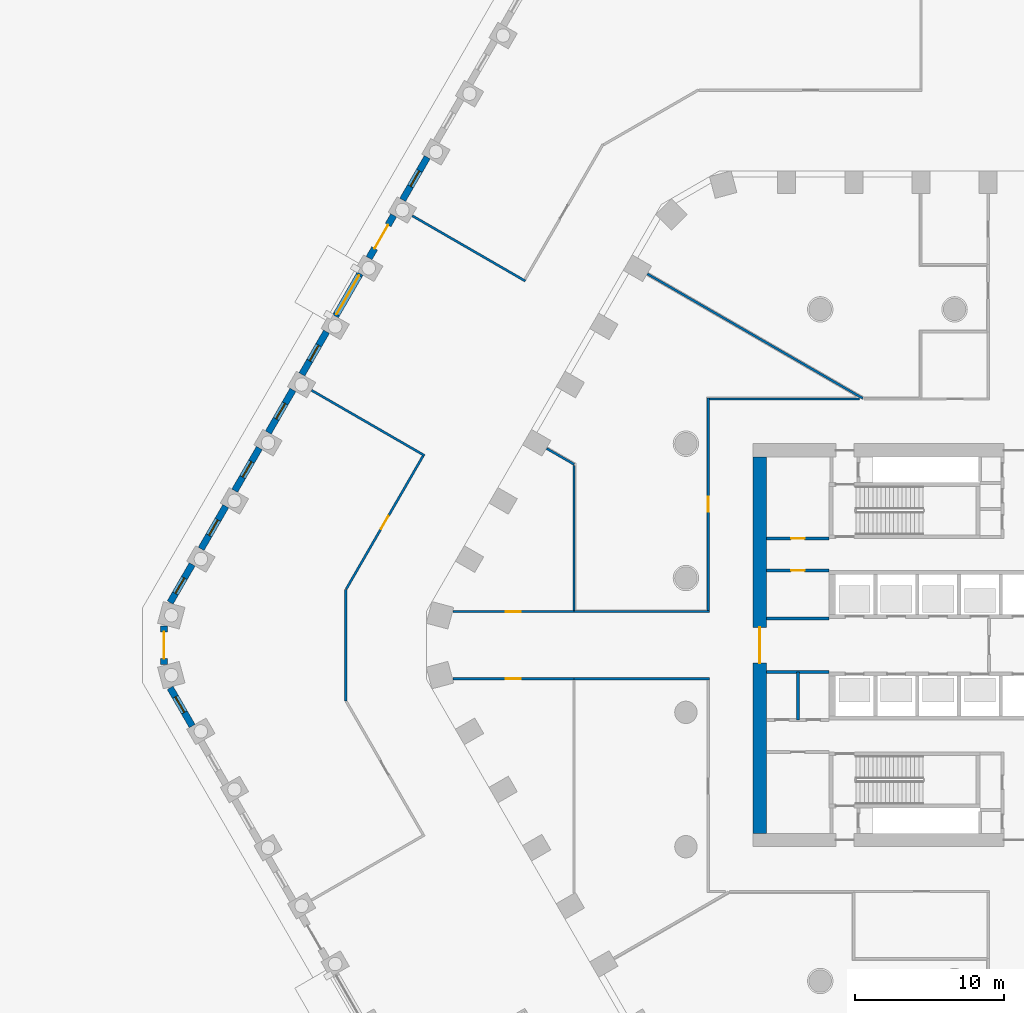
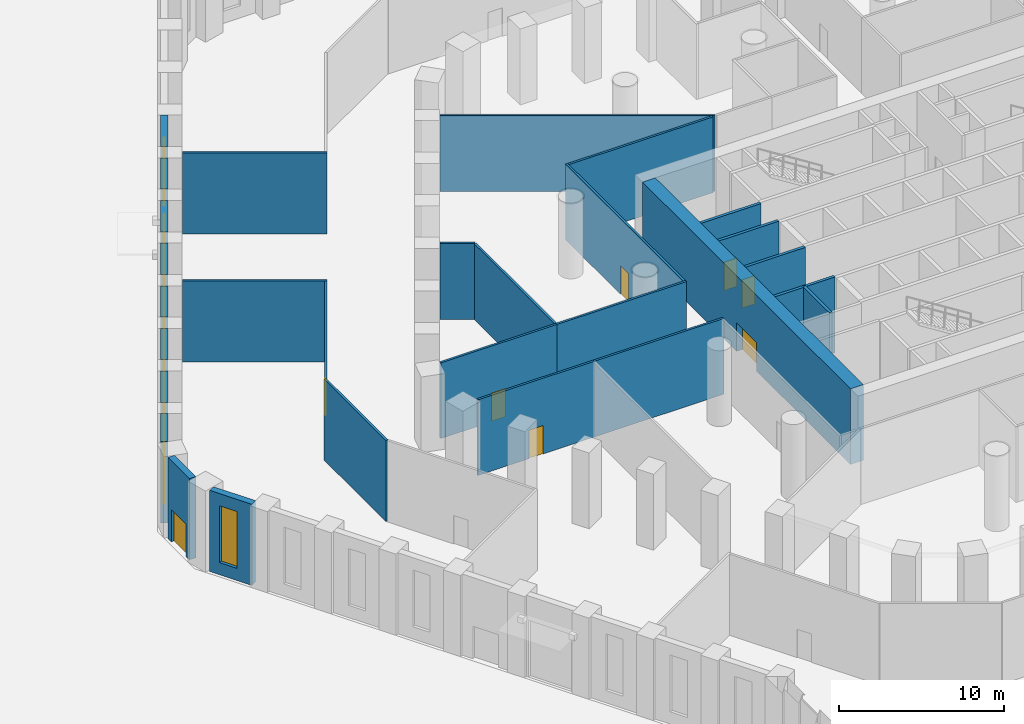
# One storey, part 18 of 44: 29 walls, 10 doors, 7 windows, 17 openings.
"""IFC4 building model written with IfcOpenShell, lengths in metres."""

import ifcopenshell
import ifcopenshell.guid

model = None  # the IFC model being written
_history = None  # IfcOwnerHistory: only IFC2X3 demands one
_inside = {}  # id of a spatial element -> (the spatial element, [elements in it])
_under = {}  # id of a project, library or spatial element -> (it, [spatial elements below it])
_declared = {}  # id of a project -> (the project, [libraries it declares])
_typed = {}  # id of a type object -> (the type object, [elements of that type])
_made_of = {}  # id of a material, layer set ... -> (it, [elements and type objects made of it])


def new_model(schema):
    """Start an empty IFC model of exactly this schema.

    Asked for "IFC4X3", IfcOpenShell would pick the latest addendum, in which some entities
    have other attributes; the version numbers below select the first issue.
    IFC2X3 requires an IfcOwnerHistory on every rooted entity: one is made here for all.
    """
    global model, _history
    if schema == "IFC4X3":
        model = ifcopenshell.file(schema_version=(4, 3, 0, 0))
    else:
        model = ifcopenshell.file(schema=schema)
    _inside.clear()
    _under.clear()
    _declared.clear()
    _typed.clear()
    _made_of.clear()
    _history = None
    if model.schema == "IFC2X3":
        org = make("IfcOrganization", Name="unknown")
        user = make(
            "IfcPersonAndOrganization",
            ThePerson=make("IfcPerson", FamilyName="unknown"),
            TheOrganization=org,
        )
        app = make(
            "IfcApplication",
            ApplicationDeveloper=org,
            Version="unknown",
            ApplicationFullName="unknown",
            ApplicationIdentifier="unknown",
        )
        _history = make(
            "IfcOwnerHistory",
            OwningUser=user,
            OwningApplication=app,
            ChangeAction="ADDED",
            CreationDate=0,
        )
    return model


def make(cls, **values):
    """One entity of the class cls with the attributes given. An attribute that is None is left unset."""
    return model.create_entity(
        cls, **{name: value for name, value in values.items() if value is not None}
    )


def rooted(cls, **values):
    """An entity with a GlobalId (a new one), such as an element, a storey or a relation."""
    return make(cls, GlobalId=ifcopenshell.guid.new(), OwnerHistory=_history, **values)


def si_unit(unit_type, name, prefix=None):
    """IfcSIUnit, for example si_unit("LENGTHUNIT", "METRE", prefix="MILLI")."""
    return make("IfcSIUnit", UnitType=unit_type, Prefix=prefix, Name=name)


def assignment(units):
    """IfcUnitAssignment: the units of a project."""
    return None if units is None else make("IfcUnitAssignment", Units=units)


def point(xyz):
    """IfcCartesianPoint."""
    return None if xyz is None else make("IfcCartesianPoint", Coordinates=xyz)


def direction(xyz):
    """IfcDirection."""
    return None if xyz is None else make("IfcDirection", DirectionRatios=xyz)


def frame(location, z_axis=None, x_axis=None):
    """IfcAxis2Placement3D, a coordinate frame: its origin and axes. An axis left out is left unset."""
    return make(
        "IfcAxis2Placement3D",
        Location=point(location),
        Axis=direction(z_axis),
        RefDirection=direction(x_axis),
    )


def frame_2d(location, x_axis=None):
    """IfcAxis2Placement2D, a coordinate frame in the plane: its origin and x axis."""
    return make(
        "IfcAxis2Placement2D", Location=point(location), RefDirection=direction(x_axis)
    )


def origin():
    """The frame at (0, 0, 0) with its axes left unset."""
    return frame((0.0, 0.0, 0.0))


def place(relative_to, where):
    """IfcLocalPlacement: puts the frame where relative to a parent placement (None: the world)."""
    return make(
        "IfcLocalPlacement", PlacementRelTo=relative_to, RelativePlacement=where
    )


def context(
    kind, dimensions, precision=None, world=None, true_north=None, identifier=None
):
    """IfcGeometricRepresentationContext, for example the 3D "Model" context."""
    return make(
        "IfcGeometricRepresentationContext",
        ContextIdentifier=identifier,
        ContextType=kind,
        CoordinateSpaceDimension=dimensions,
        Precision=precision,
        WorldCoordinateSystem=world,
        TrueNorth=true_north,
    )


def subcontext(parent, identifier, kind, view, scale=None):
    """IfcGeometricRepresentationSubContext, for example "Body" below "Model"."""
    return make(
        "IfcGeometricRepresentationSubContext",
        ContextIdentifier=identifier,
        ContextType=kind,
        ParentContext=parent,
        TargetScale=scale,
        TargetView=view,
    )


def project(units=None, contexts=None):
    """IfcProject with its units and contexts."""
    return rooted(
        "IfcProject",
        Name="project",
        RepresentationContexts=contexts,
        UnitsInContext=assignment(units),
    )


def spatial(cls, under=None, at=None, **own):
    """A site, building, storey or space (cls), placed at a placement, below another one or the project."""
    s = rooted(cls, ObjectPlacement=at, **own)
    if under is not None:
        _under.setdefault(under.id(), (under, []))[1].append(s)
    return s


def profile(cls, at=None, kind="AREA", **sizes):
    """A parametric profile (cls). Its sizes go by their IFC names, for example OverallWidth=200.0."""
    return make(cls, ProfileType=kind, Position=at, **sizes)


def rectangle(**sizes):
    """IfcRectangleProfileDef."""
    return profile("IfcRectangleProfileDef", **sizes)


def extrude(swept, where, along, depth):
    """IfcExtrudedAreaSolid: the profile swept, set in the frame where, extruded along a direction by depth."""
    return make(
        "IfcExtrudedAreaSolid",
        SweptArea=swept,
        Position=where,
        ExtrudedDirection=direction(along),
        Depth=depth,
    )


def shape(context_of_items, identifier, shape_type, items):
    """IfcShapeRepresentation: the items that make up one representation, for example the "Body"."""
    return make(
        "IfcShapeRepresentation",
        ContextOfItems=context_of_items,
        RepresentationIdentifier=identifier,
        RepresentationType=shape_type,
        Items=items,
    )


def material(Name=None, Category=None):
    """IfcMaterial."""
    return make("IfcMaterial", Name=Name, Category=Category)


def layer(
    of_material, thickness, ventilated=None, Name=None, Category=None, Priority=None
):
    """IfcMaterialLayer: one layer of a wall or slab, of a material (None: an air gap)."""
    return make(
        "IfcMaterialLayer",
        Material=of_material,
        LayerThickness=thickness,
        IsVentilated=ventilated,
        Name=Name,
        Category=Category,
        Priority=Priority,
    )


def layer_set(layers, Name=None):
    """IfcMaterialLayerSet."""
    return make("IfcMaterialLayerSet", MaterialLayers=layers, LayerSetName=Name)


def made_of(thing, what):
    """Note that an element or type object is made of a material, layer set ...; save() writes the relation."""
    if what is not None:
        _made_of.setdefault(what.id(), (what, []))[1].append(thing)
    return thing


def type_object(cls, material=None, **own):
    """A type object (cls), such as IfcWallType, which elements share."""
    return made_of(rooted(cls, **own), material)


def element(
    cls,
    number,
    at=None,
    inside=None,
    cuts=None,
    type_object=None,
    material=None,
    context=None,
    identifier="Body",
    shape_type=None,
    held_by="IfcProductDefinitionShape",
    body=None,
    shapes=None,
    **own,
):
    """One element of the class cls, such as IfcWall. Its Tag is "e" and its number.

    at: its placement. inside: the storey or other place that contains it. cuts: it is an
    opening in that element (IfcRelVoidsElement). A single representation is given by context,
    identifier, shape_type and body (its items); several are given by shapes. held_by: the class
    of the entity that holds the representations. save() writes the other relations.
    """
    e = rooted(cls, Tag="e%d" % number, ObjectPlacement=at, **own)
    if body is not None:
        shapes = [shape(context, identifier, shape_type, body)]
    if shapes is not None:
        e.Representation = make(held_by, Representations=shapes)
    if inside is not None:
        _inside.setdefault(inside.id(), (inside, []))[1].append(e)
    if cuts is not None:
        rooted(
            "IfcRelVoidsElement", RelatingBuildingElement=cuts, RelatedOpeningElement=e
        )
    if type_object is not None:
        _typed.setdefault(type_object.id(), (type_object, []))[1].append(e)
    return made_of(e, material)


def fill(opening, filler):
    """IfcRelFillsElement: the door or window that sits in an opening."""
    return rooted(
        "IfcRelFillsElement",
        RelatingOpeningElement=opening,
        RelatedBuildingElement=filler,
    )


def aggregate(whole, parts):
    """IfcRelAggregates: a whole, such as a stair, and the parts it consists of."""
    return rooted("IfcRelAggregates", RelatingObject=whole, RelatedObjects=parts)


def save(model, path):
    """Write the relations noted so far, then the file.

    IfcRelAggregates (storeys below a building ...), IfcRelContainedInSpatialStructure (elements
    in a storey), IfcRelDefinesByType, IfcRelAssociatesMaterial and IfcRelDeclares: one each for
    every whole, place, type object, material and project.
    """
    for whole, parts in _under.values():
        aggregate(whole, parts)
    for where, things in _inside.values():
        rooted(
            "IfcRelContainedInSpatialStructure",
            RelatedElements=things,
            RelatingStructure=where,
        )
    for kind, things in _typed.values():
        rooted("IfcRelDefinesByType", RelatedObjects=things, RelatingType=kind)
    for what, things in _made_of.values():
        rooted("IfcRelAssociatesMaterial", RelatedObjects=things, RelatingMaterial=what)
    for by, libraries in _declared.values():
        rooted("IfcRelDeclares", RelatingContext=by, RelatedDefinitions=libraries)
    model.write(path)


model = new_model("IFC4")

# Units and contexts
model_context = context("Model", 3, precision=1e-05, world=origin(), true_north=direction((0.0, 1.0)))
body_context = subcontext(model_context, "Body", "Model", "MODEL_VIEW")
ifc_project = project(units=[si_unit("LENGTHUNIT", "METRE"), si_unit("AREAUNIT", "SQUARE_METRE"), si_unit("VOLUMEUNIT", "CUBIC_METRE"), si_unit("PLANEANGLEUNIT", "RADIAN"), si_unit("MASSUNIT", "GRAM", prefix="KILO")], contexts=[model_context])

# Site, building, storey
site_placement = place(None, origin())
site = spatial("IfcSite", under=ifc_project, at=site_placement, CompositionType="ELEMENT")
building_placement = place(site_placement, origin())
building = spatial("IfcBuilding", under=site, at=building_placement, Name="Dhurran Vertical Campus", CompositionType="ELEMENT")
storey_placement = place(building_placement, origin())
storey = spatial("IfcBuildingStorey", under=building, at=storey_placement, Name="L00", CompositionType="ELEMENT", Elevation=0.0)

# Wall, opening, window
ifc_material_1 = material(Name="Precast concrete C50/60", Category="concrete")
ifc_layer_1 = layer(ifc_material_1, 0.449951171875)
ifc_layer_set_1 = layer_set([ifc_layer_1], Name="Precast concrete C50/60")
wall_type_1 = type_object("IfcWallType", Name="Precast base wall 450", PredefinedType="SOLIDWALL", material=ifc_layer_set_1)
wall_1_placement = place(storey_placement, frame((-39.829345703125, 32.6943359375, 0.0), z_axis=(0.0, 0.0, 1.0), x_axis=(-0.499991515992, -0.866030301974, 0.0)))
wall_1 = element("IfcWall", 1, at=wall_1_placement, inside=storey, type_object=wall_type_1, Name="EW2 L00.55", PredefinedType="SOLIDWALL", context=body_context, shape_type="SweptSolid", body=[
    extrude(rectangle(XDim=3.298828125, YDim=0.449951171875, at=frame_2d((1.6494140625, 0.0))), origin(), (0.0, 0.0, 1.0), 6.0),
])
opening_1_placement = place(wall_1_placement, frame((1.049560546875, 0.0, 0.89990234375)))
opening_1 = element("IfcOpeningElement", 2, at=opening_1_placement, cuts=wall_1, Name="Opening WT5", PredefinedType="OPENING", context=body_context, shape_type="SweptSolid", body=[
    extrude(rectangle(XDim=1.199951171875, YDim=4.199951171875, at=frame_2d((0.60009765625, 2.10009765625))), frame((0.0, 0.23486328125, 0.0), z_axis=(0.0, -1.0, 0.0), x_axis=(1.0, 0.0, 0.0)), (0.0, 0.0, 1.0), 0.469970703125),
])
ifc_material_2 = material(Name="Aluminium frame with solar-control glass", Category="aluminium")
window_type = type_object("IfcWindowType", Name="Ring slot window 1200 x 4200", PartitioningType="SINGLE_PANEL", PredefinedType="WINDOW", material=ifc_material_2)
window_1_placement = place(opening_1_placement, origin())
window_1 = element("IfcWindow", 3, at=window_1_placement, inside=storey, type_object=window_type, Name="WT5 L00.55", OverallHeight=4.199951171875, OverallWidth=1.199951171875, PartitioningType="SINGLE_PANEL", PredefinedType="WINDOW", context=body_context, shape_type="SweptSolid", body=[
    extrude(rectangle(XDim=1.199951171875, YDim=4.199951171875, at=frame_2d((0.60009765625, 2.10009765625))), frame((0.0, 0.030029296875, 0.0), z_axis=(0.0, -1.0, 0.0), x_axis=(1.0, 0.0, 0.0)), (0.0, 0.0, 1.0), 0.06005859375),
])
fill(opening_1, window_1)

# Wall, opening, door
wall_2_placement = place(storey_placement, frame((-43.728759765625, 25.940185546875, 0.0), z_axis=(0.0, 0.0, 1.0), x_axis=(0.49995947208, 0.866048801325, 0.0)))
wall_2 = element("IfcWall", 4, at=wall_2_placement, inside=storey, type_object=wall_type_1, Name="EW2 L00.56", PredefinedType="SOLIDWALL", context=body_context, shape_type="SweptSolid", body=[
    extrude(rectangle(XDim=3.299072265625, YDim=0.449951171875, at=frame_2d((1.6494140625, 0.0))), origin(), (0.0, 0.0, 1.0), 6.0),
])
opening_2_placement = place(wall_2_placement, frame((0.74951171875, 0.0, 0.0)))
opening_2 = element("IfcOpeningElement", 5, at=opening_2_placement, cuts=wall_2, Name="Opening D009", PredefinedType="OPENING", context=body_context, shape_type="SweptSolid", body=[
    extrude(rectangle(XDim=1.800048828125, YDim=2.39990234375, at=frame_2d((0.89990234375, 1.199951171875))), frame((0.0, 0.23486328125, 0.0), z_axis=(0.0, -1.0, 0.0), x_axis=(1.0, 0.0, 0.0)), (0.0, 0.0, 1.0), 0.469970703125),
])
ifc_material_3 = material(Name="Steel, fire-rated", Category="steel")
door_type_1 = type_object("IfcDoorType", Name="Steel fire exit door pair 1800 x 2400", OperationType="DOUBLE_DOOR_SINGLE_SWING", PredefinedType="DOOR", material=ifc_material_3)
door_1_placement = place(opening_2_placement, origin())
door_1 = element("IfcDoor", 6, at=door_1_placement, inside=storey, type_object=door_type_1, Name="D009 stair exit discharge", OperationType="DOUBLE_DOOR_SINGLE_SWING", OverallHeight=2.39990234375, OverallWidth=1.800048828125, PredefinedType="DOOR", context=body_context, shape_type="SweptSolid", body=[
    extrude(rectangle(XDim=1.800048828125, YDim=2.39990234375, at=frame_2d((0.89990234375, 1.199951171875))), frame((0.0, 0.02490234375, 0.0), z_axis=(0.0, -1.0, 0.0), x_axis=(1.0, 0.0, 0.0)), (0.0, 0.0, 1.0), 0.050048828125),
])
fill(opening_2, door_1)

wall_3_placement = place(storey_placement, frame((-45.978759765625, 22.043212890625, 0.0), z_axis=(0.0, 0.0, 1.0), x_axis=(0.499991515992, 0.866030301974, 0.0)))
wall_3 = element("IfcWall", 7, at=wall_3_placement, inside=storey, type_object=wall_type_1, Name="EW2 L00.57", PredefinedType="SOLIDWALL", context=body_context, shape_type="SweptSolid", body=[
    extrude(rectangle(XDim=3.298828125, YDim=0.449951171875, at=frame_2d((1.6494140625, 0.0))), origin(), (0.0, 0.0, 1.0), 6.0),
])
opening_3_placement = place(wall_3_placement, frame((0.1494140625, 0.0, 0.0)))
opening_3 = element("IfcOpeningElement", 8, at=opening_3_placement, cuts=wall_3, Name="Opening D012", PredefinedType="OPENING", context=body_context, shape_type="SweptSolid", body=[
    extrude(rectangle(XDim=3.0, YDim=4.199951171875, at=frame_2d((1.5, 2.10009765625))), frame((0.0, 0.23486328125, 0.0), z_axis=(0.0, -1.0, 0.0), x_axis=(1.0, 0.0, 0.0)), (0.0, 0.0, 1.0), 0.469970703125),
])
ifc_material_4 = material(Name="Aluminium and clear glass", Category="aluminium")
door_type_2 = type_object("IfcDoorType", Name="Aluminium and glass entrance portal door pair 3000 x 4200", OperationType="DOUBLE_DOOR_SINGLE_SWING", PredefinedType="DOOR", material=ifc_material_4)
door_2_placement = place(opening_3_placement, origin())
door_2 = element("IfcDoor", 9, at=door_2_placement, inside=storey, type_object=door_type_2, Name="D012 north-west lobby entrance", OperationType="DOUBLE_DOOR_SINGLE_SWING", OverallHeight=4.199951171875, OverallWidth=3.0, PredefinedType="DOOR", context=body_context, shape_type="SweptSolid", body=[
    extrude(rectangle(XDim=3.0, YDim=4.199951171875, at=frame_2d((1.5, 2.10009765625))), frame((0.0, 0.02490234375, 0.0), z_axis=(0.0, -1.0, 0.0), x_axis=(1.0, 0.0, 0.0)), (0.0, 0.0, 1.0), 0.050048828125),
])
fill(opening_3, door_2)

# Wall, opening, window
wall_4_placement = place(storey_placement, frame((-46.579345703125, 21.0029296875, 0.0), z_axis=(0.0, 0.0, 1.0), x_axis=(-0.499991515992, -0.866030301974, 0.0)))
wall_4 = element("IfcWall", 10, at=wall_4_placement, inside=storey, type_object=wall_type_1, Name="EW2 L00.58", PredefinedType="SOLIDWALL", context=body_context, shape_type="SweptSolid", body=[
    extrude(rectangle(XDim=3.298828125, YDim=0.449951171875, at=frame_2d((1.6494140625, 0.0))), origin(), (0.0, 0.0, 1.0), 6.0),
])
opening_4_placement = place(wall_4_placement, frame((1.049560546875, 0.0, 0.89990234375)))
opening_4 = element("IfcOpeningElement", 11, at=opening_4_placement, cuts=wall_4, Name="Opening WT5", PredefinedType="OPENING", context=body_context, shape_type="SweptSolid", body=[
    extrude(rectangle(XDim=1.199951171875, YDim=4.199951171875, at=frame_2d((0.60009765625, 2.10009765625))), frame((0.0, 0.23486328125, 0.0), z_axis=(0.0, -1.0, 0.0), x_axis=(1.0, 0.0, 0.0)), (0.0, 0.0, 1.0), 0.469970703125),
])
window_2_placement = place(opening_4_placement, origin())
window_2 = element("IfcWindow", 12, at=window_2_placement, inside=storey, type_object=window_type, Name="WT5 L00.58", OverallHeight=4.199951171875, OverallWidth=1.199951171875, PartitioningType="SINGLE_PANEL", PredefinedType="WINDOW", context=body_context, shape_type="SweptSolid", body=[
    extrude(rectangle(XDim=1.199951171875, YDim=4.199951171875, at=frame_2d((0.60009765625, 2.10009765625))), frame((0.0, 0.030029296875, 0.0), z_axis=(0.0, -1.0, 0.0), x_axis=(1.0, 0.0, 0.0)), (0.0, 0.0, 1.0), 0.06005859375),
])
fill(opening_4, window_2)

wall_5_placement = place(storey_placement, frame((-48.829345703125, 17.10595703125, 0.0), z_axis=(0.0, 0.0, 1.0), x_axis=(-0.49995947208, -0.866048801325, 0.0)))
wall_5 = element("IfcWall", 13, at=wall_5_placement, inside=storey, type_object=wall_type_1, Name="EW2 L00.59", PredefinedType="SOLIDWALL", context=body_context, shape_type="SweptSolid", body=[
    extrude(rectangle(XDim=3.299072265625, YDim=0.449951171875, at=frame_2d((1.6494140625, 0.0))), origin(), (0.0, 0.0, 1.0), 6.0),
])
opening_5_placement = place(wall_5_placement, frame((1.049560546875, 0.0, 0.89990234375)))
opening_5 = element("IfcOpeningElement", 14, at=opening_5_placement, cuts=wall_5, Name="Opening WT5", PredefinedType="OPENING", context=body_context, shape_type="SweptSolid", body=[
    extrude(rectangle(XDim=1.199951171875, YDim=4.199951171875, at=frame_2d((0.60009765625, 2.10009765625))), frame((0.0, 0.23486328125, 0.0), z_axis=(0.0, -1.0, 0.0), x_axis=(1.0, 0.0, 0.0)), (0.0, 0.0, 1.0), 0.469970703125),
])
window_3_placement = place(opening_5_placement, origin())
window_3 = element("IfcWindow", 15, at=window_3_placement, inside=storey, type_object=window_type, Name="WT5 L00.59", OverallHeight=4.199951171875, OverallWidth=1.199951171875, PartitioningType="SINGLE_PANEL", PredefinedType="WINDOW", context=body_context, shape_type="SweptSolid", body=[
    extrude(rectangle(XDim=1.199951171875, YDim=4.199951171875, at=frame_2d((0.60009765625, 2.10009765625))), frame((0.0, 0.030029296875, 0.0), z_axis=(0.0, -1.0, 0.0), x_axis=(1.0, 0.0, 0.0)), (0.0, 0.0, 1.0), 0.06005859375),
])
fill(opening_5, window_3)

wall_6_placement = place(storey_placement, frame((-51.079345703125, 13.208740234375, 0.0), z_axis=(0.0, 0.0, 1.0), x_axis=(-0.499991515992, -0.866030301974, 0.0)))
wall_6 = element("IfcWall", 16, at=wall_6_placement, inside=storey, type_object=wall_type_1, Name="EW2 L00.60", PredefinedType="SOLIDWALL", context=body_context, shape_type="SweptSolid", body=[
    extrude(rectangle(XDim=3.298828125, YDim=0.449951171875, at=frame_2d((1.6494140625, 0.0))), origin(), (0.0, 0.0, 1.0), 6.0),
])
opening_6_placement = place(wall_6_placement, frame((1.049560546875, 0.0, 0.89990234375)))
opening_6 = element("IfcOpeningElement", 17, at=opening_6_placement, cuts=wall_6, Name="Opening WT5", PredefinedType="OPENING", context=body_context, shape_type="SweptSolid", body=[
    extrude(rectangle(XDim=1.199951171875, YDim=4.199951171875, at=frame_2d((0.60009765625, 2.10009765625))), frame((0.0, 0.23486328125, 0.0), z_axis=(0.0, -1.0, 0.0), x_axis=(1.0, 0.0, 0.0)), (0.0, 0.0, 1.0), 0.469970703125),
])
window_4_placement = place(opening_6_placement, origin())
window_4 = element("IfcWindow", 18, at=window_4_placement, inside=storey, type_object=window_type, Name="WT5 L00.60", OverallHeight=4.199951171875, OverallWidth=1.199951171875, PartitioningType="SINGLE_PANEL", PredefinedType="WINDOW", context=body_context, shape_type="SweptSolid", body=[
    extrude(rectangle(XDim=1.199951171875, YDim=4.199951171875, at=frame_2d((0.60009765625, 2.10009765625))), frame((0.0, 0.030029296875, 0.0), z_axis=(0.0, -1.0, 0.0), x_axis=(1.0, 0.0, 0.0)), (0.0, 0.0, 1.0), 0.06005859375),
])
fill(opening_6, window_4)

wall_7_placement = place(storey_placement, frame((-53.329345703125, 9.311767578125, 0.0), z_axis=(0.0, 0.0, 1.0), x_axis=(-0.49995947208, -0.866048801325, 0.0)))
wall_7 = element("IfcWall", 19, at=wall_7_placement, inside=storey, type_object=wall_type_1, Name="EW2 L00.61", PredefinedType="SOLIDWALL", context=body_context, shape_type="SweptSolid", body=[
    extrude(rectangle(XDim=3.299072265625, YDim=0.449951171875, at=frame_2d((1.6494140625, 0.0))), origin(), (0.0, 0.0, 1.0), 6.0),
])
opening_7_placement = place(wall_7_placement, frame((1.049560546875, 0.0, 0.89990234375)))
opening_7 = element("IfcOpeningElement", 20, at=opening_7_placement, cuts=wall_7, Name="Opening WT5", PredefinedType="OPENING", context=body_context, shape_type="SweptSolid", body=[
    extrude(rectangle(XDim=1.199951171875, YDim=4.199951171875, at=frame_2d((0.60009765625, 2.10009765625))), frame((0.0, 0.23486328125, 0.0), z_axis=(0.0, -1.0, 0.0), x_axis=(1.0, 0.0, 0.0)), (0.0, 0.0, 1.0), 0.469970703125),
])
window_5_placement = place(opening_7_placement, origin())
window_5 = element("IfcWindow", 21, at=window_5_placement, inside=storey, type_object=window_type, Name="WT5 L00.61", OverallHeight=4.199951171875, OverallWidth=1.199951171875, PartitioningType="SINGLE_PANEL", PredefinedType="WINDOW", context=body_context, shape_type="SweptSolid", body=[
    extrude(rectangle(XDim=1.199951171875, YDim=4.199951171875, at=frame_2d((0.60009765625, 2.10009765625))), frame((0.0, 0.030029296875, 0.0), z_axis=(0.0, -1.0, 0.0), x_axis=(1.0, 0.0, 0.0)), (0.0, 0.0, 1.0), 0.06005859375),
])
fill(opening_7, window_5)

wall_8_placement = place(storey_placement, frame((-55.579345703125, 5.41455078125, 0.0), z_axis=(0.0, 0.0, 1.0), x_axis=(-0.500030648271, -0.866007708274, 0.0)))
wall_8 = element("IfcWall", 22, at=wall_8_placement, inside=storey, type_object=wall_type_1, Name="EW2 L00.62", PredefinedType="SOLIDWALL", context=body_context, shape_type="SweptSolid", body=[
    extrude(rectangle(XDim=2.948486328125, YDim=0.449951171875, at=frame_2d((1.47412109375, 0.0))), origin(), (0.0, 0.0, 1.0), 6.0),
])
opening_8_placement = place(wall_8_placement, frame((1.049560546875, 0.0, 0.89990234375)))
opening_8 = element("IfcOpeningElement", 23, at=opening_8_placement, cuts=wall_8, Name="Opening WT5", PredefinedType="OPENING", context=body_context, shape_type="SweptSolid", body=[
    extrude(rectangle(XDim=1.199951171875, YDim=4.199951171875, at=frame_2d((0.60009765625, 2.10009765625))), frame((0.0, 0.23486328125, 0.0), z_axis=(0.0, -1.0, 0.0), x_axis=(1.0, 0.0, 0.0)), (0.0, 0.0, 1.0), 0.469970703125),
])
window_6_placement = place(opening_8_placement, origin())
window_6 = element("IfcWindow", 24, at=window_6_placement, inside=storey, type_object=window_type, Name="WT5 L00.62", OverallHeight=4.199951171875, OverallWidth=1.199951171875, PartitioningType="SINGLE_PANEL", PredefinedType="WINDOW", context=body_context, shape_type="SweptSolid", body=[
    extrude(rectangle(XDim=1.199951171875, YDim=4.199951171875, at=frame_2d((0.60009765625, 2.10009765625))), frame((0.0, 0.030029296875, 0.0), z_axis=(0.0, -1.0, 0.0), x_axis=(1.0, 0.0, 0.0)), (0.0, 0.0, 1.0), 0.06005859375),
])
fill(opening_8, window_6)

# Wall, opening, door
wall_9_placement = place(storey_placement, frame((-57.47216796875, -1.299072265625, 0.0), z_axis=(0.0, 0.0, 1.0), x_axis=(0.0, 1.0, 0.0)))
wall_9 = element("IfcWall", 25, at=wall_9_placement, inside=storey, type_object=wall_type_1, Name="EW2 L00.63", PredefinedType="SOLIDWALL", context=body_context, shape_type="SweptSolid", body=[
    extrude(rectangle(XDim=2.59814453125, YDim=0.449951171875, at=frame_2d((1.299072265625, 0.0))), origin(), (0.0, 0.0, 1.0), 6.0),
])
opening_9_placement = place(wall_9_placement, frame((0.399169921875, 0.0, 0.0)))
opening_9 = element("IfcOpeningElement", 26, at=opening_9_placement, cuts=wall_9, Name="Opening D011", PredefinedType="OPENING", context=body_context, shape_type="SweptSolid", body=[
    extrude(rectangle(XDim=1.800048828125, YDim=2.39990234375, at=frame_2d((0.89990234375, 1.199951171875))), frame((0.0, 0.23486328125, 0.0), z_axis=(0.0, -1.0, 0.0), x_axis=(1.0, 0.0, 0.0)), (0.0, 0.0, 1.0), 0.469970703125),
])
door_3_placement = place(opening_9_placement, origin())
door_3 = element("IfcDoor", 27, at=door_3_placement, inside=storey, type_object=door_type_1, Name="D011 service and goods entrance", OperationType="DOUBLE_DOOR_SINGLE_SWING", OverallHeight=2.39990234375, OverallWidth=1.800048828125, PredefinedType="DOOR", context=body_context, shape_type="SweptSolid", body=[
    extrude(rectangle(XDim=1.800048828125, YDim=2.39990234375, at=frame_2d((0.89990234375, 1.199951171875))), frame((0.0, 0.02490234375, 0.0), z_axis=(0.0, -1.0, 0.0), x_axis=(1.0, 0.0, 0.0)), (0.0, 0.0, 1.0), 0.050048828125),
])
fill(opening_9, door_3)

# Wall, opening, window
wall_10_placement = place(storey_placement, frame((-57.0537109375, -2.861083984375, 0.0), z_axis=(0.0, 0.0, 1.0), x_axis=(0.500030648271, -0.866007708274, 0.0)))
wall_10 = element("IfcWall", 28, at=wall_10_placement, inside=storey, type_object=wall_type_1, Name="EW2 L00.64", PredefinedType="SOLIDWALL", context=body_context, shape_type="SweptSolid", body=[
    extrude(rectangle(XDim=2.948486328125, YDim=0.449951171875, at=frame_2d((1.47412109375, 0.0))), origin(), (0.0, 0.0, 1.0), 6.0),
])
opening_10_placement = place(wall_10_placement, frame((0.69921875, 0.0, 0.89990234375)))
opening_10 = element("IfcOpeningElement", 29, at=opening_10_placement, cuts=wall_10, Name="Opening WT5", PredefinedType="OPENING", context=body_context, shape_type="SweptSolid", body=[
    extrude(rectangle(XDim=1.199951171875, YDim=4.199951171875, at=frame_2d((0.60009765625, 2.10009765625))), frame((0.0, 0.23486328125, 0.0), z_axis=(0.0, -1.0, 0.0), x_axis=(1.0, 0.0, 0.0)), (0.0, 0.0, 1.0), 0.469970703125),
])
window_7_placement = place(opening_10_placement, origin())
window_7 = element("IfcWindow", 30, at=window_7_placement, inside=storey, type_object=window_type, Name="WT5 L00.64", OverallHeight=4.199951171875, OverallWidth=1.199951171875, PartitioningType="SINGLE_PANEL", PredefinedType="WINDOW", context=body_context, shape_type="SweptSolid", body=[
    extrude(rectangle(XDim=1.199951171875, YDim=4.199951171875, at=frame_2d((0.60009765625, 2.10009765625))), frame((0.0, 0.030029296875, 0.0), z_axis=(0.0, -1.0, 0.0), x_axis=(1.0, 0.0, 0.0)), (0.0, 0.0, 1.0), 0.06005859375),
])
fill(opening_10, window_7)

# Wall, opening, door
ifc_material_5 = material(Name="Concrete C60/75", Category="concrete")
ifc_layer_2 = layer(ifc_material_5, 0.89990234375)
ifc_layer_set_2 = layer_set([ifc_layer_2], Name="Concrete C60/75")
wall_type_2 = type_object("IfcWallType", Name="co-CORE-WALL-C0-900", PredefinedType="SHEAR", material=ifc_layer_set_2)
wall_11_placement = place(storey_placement, frame((-17.550048828125, -12.60009765625, 0.0), z_axis=(0.0, 0.0, 1.0), x_axis=(0.0, 1.0, 0.0)))
wall_11 = element("IfcWall", 31, at=wall_11_placement, inside=storey, type_object=wall_type_2, Name="Core wall W L00", PredefinedType="SHEAR", context=body_context, shape_type="SweptSolid", body=[
    extrude(rectangle(XDim=25.2001953125, YDim=0.89990234375, at=frame_2d((12.60009765625, 0.0))), origin(), (0.0, 0.0, 1.0), 5.60009765625),
])
opening_11_placement = place(wall_11_placement, frame((11.39990234375, 0.0, 0.0)))
opening_11 = element("IfcOpeningElement", 32, at=opening_11_placement, cuts=wall_11, Name="Opening CL1", PredefinedType="OPENING", context=body_context, shape_type="SweptSolid", body=[
    extrude(rectangle(XDim=2.39990234375, YDim=2.10009765625, at=frame_2d((1.199951171875, 1.050048828125))), frame((0.0, 0.4599609375, 0.0), z_axis=(0.0, -1.0, 0.0), x_axis=(1.0, 0.0, 0.0)), (0.0, 0.0, 1.0), 0.919921875),
])
ifc_material_6 = material(Name="Fire-rated glazed door set")
door_type_3 = type_object("IfcDoorType", Name="co-D-LOBBY 2400x2100", OperationType="DOUBLE_DOOR_DOUBLE_SWING", PredefinedType="DOOR", material=ifc_material_6)
door_4_placement = place(opening_11_placement, origin())
door_4 = element("IfcDoor", 33, at=door_4_placement, inside=storey, type_object=door_type_3, Name="Lift lobby door W L00", OperationType="DOUBLE_DOOR_DOUBLE_SWING", OverallHeight=2.10009765625, OverallWidth=2.39990234375, PredefinedType="DOOR", context=body_context, shape_type="SweptSolid", body=[
    extrude(rectangle(XDim=2.39990234375, YDim=2.10009765625, at=frame_2d((1.199951171875, 1.050048828125))), frame((0.0, 0.02490234375, 0.0), z_axis=(0.0, -1.0, 0.0), x_axis=(1.0, 0.0, 0.0)), (0.0, 0.0, 1.0), 0.050048828125),
])
fill(opening_11, door_4)

ifc_material_7 = material(Name="Fire-rated masonry blockwork", Category="masonry")
ifc_layer_3 = layer(ifc_material_7, 0.199951171875)
ifc_layer_set_3 = layer_set([ifc_layer_3], Name="Fire-rated masonry blockwork")
wall_type_3 = type_object("IfcWallType", Name="co-FIRE-PARTITION-200", PredefinedType="PARTITIONING", material=ifc_layer_set_3)
wall_12_placement = place(storey_placement, frame((-17.10009765625, 7.14990234375, 0.0), z_axis=(0.0, 0.0, 1.0), x_axis=(1.0, 0.0, 0.0)))
wall_12 = element("IfcWall", 34, at=wall_12_placement, inside=storey, type_object=wall_type_3, Name="Core partition en-NW-w L00", PredefinedType="PARTITIONING", context=body_context, shape_type="SweptSolid", body=[
    extrude(rectangle(XDim=4.2001953125, YDim=0.199951171875, at=frame_2d((2.10009765625, 0.0))), origin(), (0.0, 0.0, 1.0), 5.60009765625),
])
opening_12_placement = place(wall_12_placement, frame((1.64990234375, 0.0, 0.0)))
opening_12 = element("IfcOpeningElement", 35, at=opening_12_placement, cuts=wall_12, Name="Opening PD00-C15", PredefinedType="OPENING", context=body_context, shape_type="SweptSolid", body=[
    extrude(rectangle(XDim=0.89990234375, YDim=2.10009765625, at=frame_2d((0.449951171875, 1.050048828125))), frame((0.0, 0.10986328125, 0.0), z_axis=(0.0, -1.0, 0.0), x_axis=(1.0, 0.0, 0.0)), (0.0, 0.0, 1.0), 0.219970703125),
])
ifc_material_8 = material(Name="Fire-rated timber door set", Category="wood")
door_type_4 = type_object("IfcDoorType", Name="co-D-ROOM 900x2100", OperationType="SINGLE_SWING_LEFT", PredefinedType="DOOR", material=ifc_material_8)
door_5_placement = place(opening_12_placement, origin())
door_5 = element("IfcDoor", 36, at=door_5_placement, inside=storey, type_object=door_type_4, Name="Fire command room door L00", OperationType="SINGLE_SWING_LEFT", OverallHeight=2.10009765625, OverallWidth=0.89990234375, PredefinedType="DOOR", context=body_context, shape_type="SweptSolid", body=[
    extrude(rectangle(XDim=0.89990234375, YDim=2.10009765625, at=frame_2d((0.449951171875, 1.050048828125))), frame((0.0, 0.02490234375, 0.0), z_axis=(0.0, -1.0, 0.0), x_axis=(1.0, 0.0, 0.0)), (0.0, 0.0, 1.0), 0.050048828125),
])
fill(opening_12, door_5)

wall_13_placement = place(storey_placement, frame((-17.10009765625, 5.0, 0.0), z_axis=(0.0, 0.0, 1.0), x_axis=(1.0, 0.0, 0.0)))
wall_13 = element("IfcWall", 37, at=wall_13_placement, inside=storey, type_object=wall_type_3, Name="Core partition es-NW-w L00", PredefinedType="PARTITIONING", context=body_context, shape_type="SweptSolid", body=[
    extrude(rectangle(XDim=4.2001953125, YDim=0.199951171875, at=frame_2d((2.10009765625, 0.0))), origin(), (0.0, 0.0, 1.0), 5.60009765625),
])
opening_13_placement = place(wall_13_placement, frame((1.64990234375, 0.0, 0.0)))
opening_13 = element("IfcOpeningElement", 38, at=opening_13_placement, cuts=wall_13, Name="Opening PD00-C16", PredefinedType="OPENING", context=body_context, shape_type="SweptSolid", body=[
    extrude(rectangle(XDim=0.89990234375, YDim=2.10009765625, at=frame_2d((0.449951171875, 1.050048828125))), frame((0.0, 0.10986328125, 0.0), z_axis=(0.0, -1.0, 0.0), x_axis=(1.0, 0.0, 0.0)), (0.0, 0.0, 1.0), 0.219970703125),
])
door_6_placement = place(opening_13_placement, origin())
door_6 = element("IfcDoor", 39, at=door_6_placement, inside=storey, type_object=door_type_4, Name="Waste room door L00", OperationType="SINGLE_SWING_LEFT", OverallHeight=2.10009765625, OverallWidth=0.89990234375, PredefinedType="DOOR", context=body_context, shape_type="SweptSolid", body=[
    extrude(rectangle(XDim=0.89990234375, YDim=2.10009765625, at=frame_2d((0.449951171875, 1.050048828125))), frame((0.0, 0.02490234375, 0.0), z_axis=(0.0, -1.0, 0.0), x_axis=(1.0, 0.0, 0.0)), (0.0, 0.0, 1.0), 0.050048828125),
])
fill(opening_13, door_6)

# Walls
wall_14_placement = place(storey_placement, frame((-17.10009765625, 1.800048828125, 0.0), z_axis=(0.0, 0.0, 1.0), x_axis=(1.0, 0.0, 0.0)))
element("IfcWall", 40, at=wall_14_placement, inside=storey, type_object=wall_type_3, Name="Core partition es-NW-l L00", PredefinedType="PARTITIONING", context=body_context, shape_type="SweptSolid", body=[
    extrude(rectangle(XDim=4.2001953125, YDim=0.199951171875, at=frame_2d((2.10009765625, 0.0))), origin(), (0.0, 0.0, 1.0), 5.60009765625),
])
wall_15_placement = place(storey_placement, frame((-15.0, -5.0, 0.0), z_axis=(0.0, 0.0, 1.0), x_axis=(0.0, 1.0, 0.0)))
element("IfcWall", 41, at=wall_15_placement, inside=storey, type_object=wall_type_3, Name="Core partition es-SW-cut0 L00", PredefinedType="PARTITIONING", context=body_context, shape_type="SweptSolid", body=[
    extrude(rectangle(XDim=3.199951171875, YDim=0.199951171875, at=frame_2d((1.60009765625, 0.0))), origin(), (0.0, 0.0, 1.0), 5.60009765625),
])
wall_16_placement = place(storey_placement, frame((-17.10009765625, -1.800048828125, 0.0), z_axis=(0.0, 0.0, 1.0), x_axis=(1.0, 0.0, 0.0)))
element("IfcWall", 42, at=wall_16_placement, inside=storey, type_object=wall_type_3, Name="Core partition es-SW-l L00", PredefinedType="PARTITIONING", context=body_context, shape_type="SweptSolid", body=[
    extrude(rectangle(XDim=4.2001953125, YDim=0.199951171875, at=frame_2d((2.10009765625, 0.0))), origin(), (0.0, 0.0, 1.0), 5.60009765625),
])
ifc_material_9 = material(Name="Gypsum board corridor wall on steel studs", Category="steel")
ifc_layer_4 = layer(ifc_material_9, 0.14990234375)
ifc_layer_set_4 = layer_set([ifc_layer_4], Name="Gypsum board corridor wall on steel studs")
wall_type_4 = type_object("IfcWallType", Name="fl-CW-150 corridor wall", PredefinedType="PARTITIONING", material=ifc_layer_set_4)
wall_17_placement = place(storey_placement, frame((-40.009033203125, 12.70654296875, 0.0), z_axis=(0.0, 0.0, 1.0), x_axis=(-0.866024693403, 0.500001230415, 0.0)))
element("IfcWall", 43, at=wall_17_placement, inside=storey, type_object=wall_type_4, Name="Partition 00-02", PredefinedType="PARTITIONING", context=body_context, shape_type="SweptSolid", body=[
    extrude(rectangle(XDim=8.7431640625, YDim=0.14990234375, at=frame_2d((4.37158203125, 0.0))), origin(), (0.0, 0.0, 1.0), 6.0),
])
wall_18_placement = place(storey_placement, frame((-45.297119140625, -3.741943359375, 0.0), z_axis=(0.0, 0.0, 1.0), x_axis=(0.0, 1.0, 0.0)))
element("IfcWall", 44, at=wall_18_placement, inside=storey, type_object=wall_type_4, Name="Partition 00-03", PredefinedType="PARTITIONING", context=body_context, shape_type="SweptSolid", body=[
    extrude(rectangle(XDim=7.48388671875, YDim=0.14990234375, at=frame_2d((3.741943359375, 0.0))), origin(), (0.0, 0.0, 1.0), 6.0),
])

# Wall, opening, door
wall_19_placement = place(storey_placement, frame((-45.259521484375, 3.761962890625, 0.0), z_axis=(0.0, 0.0, 1.0), x_axis=(0.499979704663, 0.866037120986, 0.0)))
wall_19 = element("IfcWall", 45, at=wall_19_placement, inside=storey, type_object=wall_type_4, Name="Partition 00-05", PredefinedType="PARTITIONING", context=body_context, shape_type="SweptSolid", body=[
    extrude(rectangle(XDim=10.29638671875, YDim=0.14990234375, at=frame_2d((5.148193359375, 0.0))), origin(), (0.0, 0.0, 1.0), 6.0),
])
opening_14_placement = place(wall_19_placement, frame((4.648193359375, 0.0, 0.0)))
opening_14 = element("IfcOpeningElement", 46, at=opening_14_placement, cuts=wall_19, Name="Opening PD00.12", PredefinedType="OPENING", context=body_context, shape_type="SweptSolid", body=[
    extrude(rectangle(XDim=1.0, YDim=2.10009765625, at=frame_2d((0.5, 1.050048828125))), frame((0.0, 0.0849609375, 0.0), z_axis=(0.0, -1.0, 0.0), x_axis=(1.0, 0.0, 0.0)), (0.0, 0.0, 1.0), 0.169921875),
])
ifc_material_10 = material(Name="Solid-core timber door set, fire-rated", Category="wood")
door_type_5 = type_object("IfcDoorType", Name="fl-D-1000x2100", OperationType="SINGLE_SWING_LEFT", PredefinedType="DOOR", material=ifc_material_10)
door_7_placement = place(opening_14_placement, origin())
door_7 = element("IfcDoor", 47, at=door_7_placement, inside=storey, type_object=door_type_5, Name="Door 00.12", OperationType="SINGLE_SWING_RIGHT", OverallHeight=2.10009765625, OverallWidth=1.0, PredefinedType="DOOR", context=body_context, shape_type="SweptSolid", body=[
    extrude(rectangle(XDim=1.0, YDim=2.10009765625, at=frame_2d((0.5, 1.050048828125))), frame((0.0, 0.02490234375, 0.0), z_axis=(0.0, -1.0, 0.0), x_axis=(1.0, 0.0, 0.0)), (0.0, 0.0, 1.0), 0.050048828125),
])
fill(opening_14, door_7)

# Wall
wall_20_placement = place(storey_placement, frame((-40.83056640625, 28.77001953125, 0.0), z_axis=(0.0, 0.0, 1.0), x_axis=(0.866017712198, -0.500013321982, 0.0)))
element("IfcWall", 48, at=wall_20_placement, inside=storey, type_object=wall_type_4, Name="Partition 00-07", PredefinedType="PARTITIONING", context=body_context, shape_type="SweptSolid", body=[
    extrude(rectangle(XDim=8.742919921875, YDim=0.14990234375, at=frame_2d((4.37158203125, 0.0))), origin(), (0.0, 0.0, 1.0), 6.0),
])

# Wall, opening, door
wall_21_placement = place(storey_placement, frame((-30.0, -2.25, 0.0), z_axis=(0.0, 0.0, 1.0), x_axis=(-1.0, 0.0, 0.0)))
wall_21 = element("IfcWall", 49, at=wall_21_placement, inside=storey, type_object=wall_type_4, Name="Partition 00-08", PredefinedType="PARTITIONING", context=body_context, shape_type="SweptSolid", body=[
    extrude(rectangle(XDim=8.115478515625, YDim=0.14990234375, at=frame_2d((4.0576171875, 0.0))), origin(), (0.0, 0.0, 1.0), 5.60009765625),
])
opening_15_placement = place(wall_21_placement, frame((3.5576171875, 0.0, 0.0)))
opening_15 = element("IfcOpeningElement", 50, at=opening_15_placement, cuts=wall_21, Name="Opening PD00.14", PredefinedType="OPENING", context=body_context, shape_type="SweptSolid", body=[
    extrude(rectangle(XDim=1.0, YDim=2.10009765625, at=frame_2d((0.5, 1.050048828125))), frame((0.0, 0.0849609375, 0.0), z_axis=(0.0, -1.0, 0.0), x_axis=(1.0, 0.0, 0.0)), (0.0, 0.0, 1.0), 0.169921875),
])
door_8_placement = place(opening_15_placement, origin())
door_8 = element("IfcDoor", 51, at=door_8_placement, inside=storey, type_object=door_type_5, Name="Door 00.14", OperationType="SINGLE_SWING_RIGHT", OverallHeight=2.10009765625, OverallWidth=1.0, PredefinedType="DOOR", context=body_context, shape_type="SweptSolid", body=[
    extrude(rectangle(XDim=1.0, YDim=2.10009765625, at=frame_2d((0.5, 1.050048828125))), frame((0.0, 0.02490234375, 0.0), z_axis=(0.0, -1.0, 0.0), x_axis=(1.0, 0.0, 0.0)), (0.0, 0.0, 1.0), 0.050048828125),
])
fill(opening_15, door_8)

wall_22_placement = place(storey_placement, frame((-38.115478515625, 2.25, 0.0), z_axis=(0.0, 0.0, 1.0), x_axis=(1.0, 0.0, 0.0)))
wall_22 = element("IfcWall", 52, at=wall_22_placement, inside=storey, type_object=wall_type_4, Name="Partition 00-09", PredefinedType="PARTITIONING", context=body_context, shape_type="SweptSolid", body=[
    extrude(rectangle(XDim=8.115478515625, YDim=0.14990234375, at=frame_2d((4.0576171875, 0.0))), origin(), (0.0, 0.0, 1.0), 5.60009765625),
])
opening_16_placement = place(wall_22_placement, frame((3.5576171875, 0.0, 0.0)))
opening_16 = element("IfcOpeningElement", 53, at=opening_16_placement, cuts=wall_22, Name="Opening PD00.13", PredefinedType="OPENING", context=body_context, shape_type="SweptSolid", body=[
    extrude(rectangle(XDim=1.0, YDim=2.10009765625, at=frame_2d((0.5, 1.050048828125))), frame((0.0, 0.0849609375, 0.0), z_axis=(0.0, -1.0, 0.0), x_axis=(1.0, 0.0, 0.0)), (0.0, 0.0, 1.0), 0.169921875),
])
door_9_placement = place(opening_16_placement, origin())
door_9 = element("IfcDoor", 54, at=door_9_placement, inside=storey, type_object=door_type_5, Name="Door 00.13", OperationType="SINGLE_SWING_LEFT", OverallHeight=2.10009765625, OverallWidth=1.0, PredefinedType="DOOR", context=body_context, shape_type="SweptSolid", body=[
    extrude(rectangle(XDim=1.0, YDim=2.10009765625, at=frame_2d((0.5, 1.050048828125))), frame((0.0, 0.02490234375, 0.0), z_axis=(0.0, -1.0, 0.0), x_axis=(1.0, 0.0, 0.0)), (0.0, 0.0, 1.0), 0.050048828125),
])
fill(opening_16, door_9)

# Walls
for number, where, z_axis, x_axis, name in (
    (55, (-20.925048828125, -2.25, 0.0), (0.0, 0.0, 1.0), (-1.0, 0.0, 0.0), "Partition 00-14"),
    (56, (-30.0, 2.25, 0.0), (0.0, 0.0, 1.0), (1.0, 0.0, 0.0), "Partition 00-16"),
):
    element("IfcWall", number, at=place(storey_placement, frame(where, z_axis=z_axis, x_axis=x_axis)), inside=storey, type_object=wall_type_4, Name=name, PredefinedType="PARTITIONING", context=body_context, shape_type="SweptSolid", body=[
        extrude(rectangle(XDim=9.074951171875, YDim=0.14990234375, at=frame_2d((4.53759765625, 0.0))), origin(), (0.0, 0.0, 1.0), 5.60009765625),
    ])

# Wall, opening, door
wall_23_placement = place(storey_placement, frame((-21.0, 16.574951171875, 0.0), z_axis=(0.0, 0.0, 1.0), x_axis=(0.0, -1.0, 0.0)))
wall_23 = element("IfcWall", 57, at=wall_23_placement, inside=storey, type_object=wall_type_4, Name="Partition 00-25", PredefinedType="PARTITIONING", context=body_context, shape_type="SweptSolid", body=[
    extrude(rectangle(XDim=14.25, YDim=0.14990234375, at=frame_2d((7.125, 0.0))), origin(), (0.0, 0.0, 1.0), 5.60009765625),
])
opening_17_placement = place(wall_23_placement, frame((6.625, 0.0, 0.0)))
opening_17 = element("IfcOpeningElement", 58, at=opening_17_placement, cuts=wall_23, Name="Opening PD00.16", PredefinedType="OPENING", context=body_context, shape_type="SweptSolid", body=[
    extrude(rectangle(XDim=1.0, YDim=2.10009765625, at=frame_2d((0.5, 1.050048828125))), frame((0.0, 0.0849609375, 0.0), z_axis=(0.0, -1.0, 0.0), x_axis=(1.0, 0.0, 0.0)), (0.0, 0.0, 1.0), 0.169921875),
])
door_10_placement = place(opening_17_placement, origin())
door_10 = element("IfcDoor", 59, at=door_10_placement, inside=storey, type_object=door_type_5, Name="Door 00.16", OperationType="SINGLE_SWING_LEFT", OverallHeight=2.10009765625, OverallWidth=1.0, PredefinedType="DOOR", context=body_context, shape_type="SweptSolid", body=[
    extrude(rectangle(XDim=1.0, YDim=2.10009765625, at=frame_2d((0.5, 1.050048828125))), frame((0.0, 0.02490234375, 0.0), z_axis=(0.0, -1.0, 0.0), x_axis=(1.0, 0.0, 0.0)), (0.0, 0.0, 1.0), 0.050048828125),
])
fill(opening_17, door_10)

# Walls
wall_24_placement = place(storey_placement, frame((-10.85400390625, 16.5, 0.0), z_axis=(0.0, 0.0, 1.0), x_axis=(-1.0, 0.0, 0.0)))
element("IfcWall", 60, at=wall_24_placement, inside=storey, type_object=wall_type_4, Name="Partition 00-26", PredefinedType="PARTITIONING", context=body_context, shape_type="SweptSolid", body=[
    extrude(rectangle(XDim=10.071044921875, YDim=0.14990234375, at=frame_2d((5.03564453125, 0.0))), origin(), (0.0, 0.0, 1.0), 5.60009765625),
])
ifc_material_11 = material(Name="Gypsum board partition on steel studs", Category="steel")
ifc_layer_5 = layer(ifc_material_11, 0.14990234375)
ifc_layer_set_5 = layer_set([ifc_layer_5], Name="Gypsum board partition on steel studs")
wall_type_5 = type_object("IfcWallType", Name="fl-PW-150 fixed partition", PredefinedType="PARTITIONING", material=ifc_layer_set_5)
wall_25_placement = place(storey_placement, frame((-31.830810546875, 13.18115234375, 0.0), z_axis=(0.0, 0.0, 1.0), x_axis=(0.866022134271, -0.500005662921, 0.0)))
element("IfcWall", 61, at=wall_25_placement, inside=storey, type_object=wall_type_5, Name="Partition 00-12", PredefinedType="PARTITIONING", context=body_context, shape_type="SweptSolid", body=[
    extrude(rectangle(XDim=2.13916015625, YDim=0.14990234375, at=frame_2d((1.069580078125, 0.0))), origin(), (0.0, 0.0, 1.0), 5.60009765625),
])
wall_26_placement = place(storey_placement, frame((-30.0, 12.049072265625, 0.0), z_axis=(0.0, 0.0, 1.0), x_axis=(0.0, -1.0, 0.0)))
element("IfcWall", 62, at=wall_26_placement, inside=storey, type_object=wall_type_5, Name="Partition 00-15", PredefinedType="PARTITIONING", context=body_context, shape_type="SweptSolid", body=[
    extrude(rectangle(XDim=9.72412109375, YDim=0.14990234375, at=frame_2d((4.862060546875, 0.0))), origin(), (0.0, 0.0, 1.0), 5.60009765625),
])
wall_27_placement = place(storey_placement, frame((-25.08056640625, 24.873046875, 0.0), z_axis=(0.0, 0.0, 1.0), x_axis=(0.866011934562, -0.500023328652, 0.0)))
element("IfcWall", 63, at=wall_27_placement, inside=storey, type_object=wall_type_5, Name="Partition 00-20", PredefinedType="PARTITIONING", context=body_context, shape_type="SweptSolid", body=[
    extrude(rectangle(XDim=16.670166015625, YDim=0.14990234375, at=frame_2d((8.3349609375, 0.0))), origin(), (0.0, 0.0, 1.0), 5.60009765625),
])

save(model, "model.ifc")
